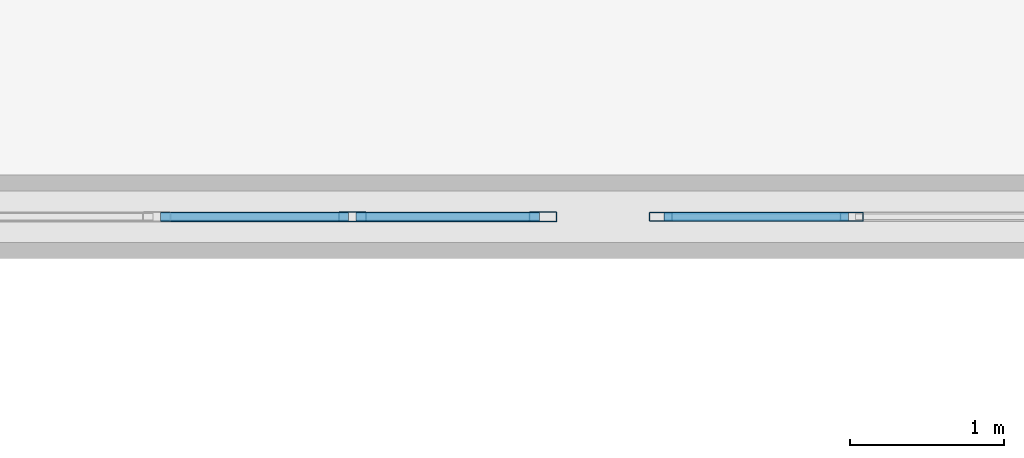
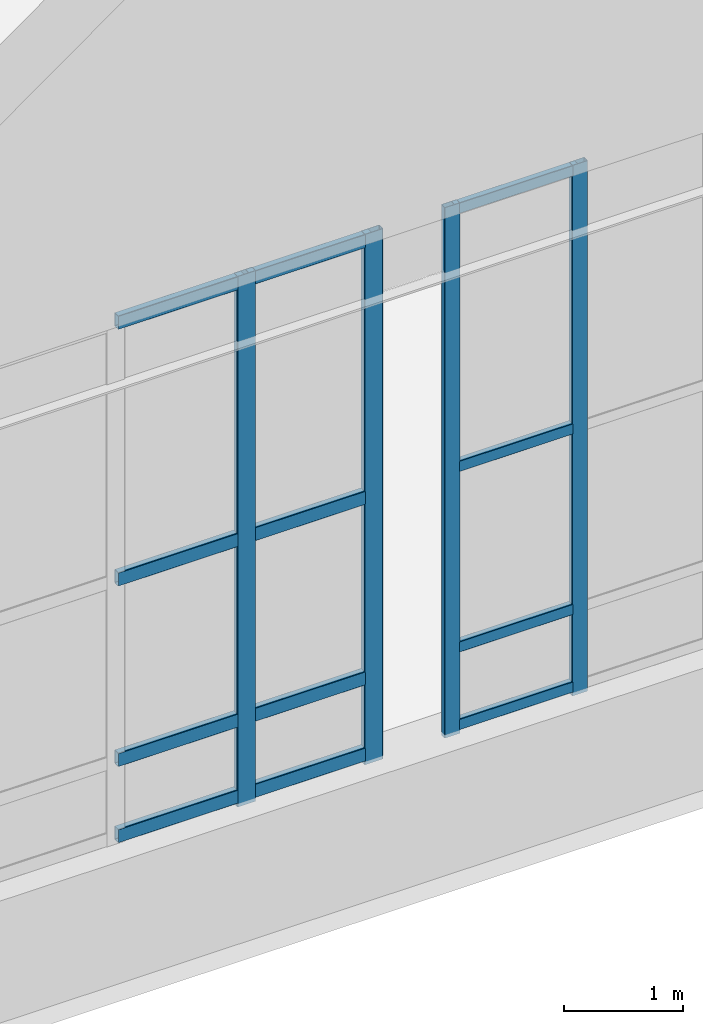
# One storey, part 19 of 97: 16 members, 2 elements without a shape of their own.
"""IFC4 building model written with IfcOpenShell, lengths in metres."""

from ifc_helpers import new_model, si_unit, derived_unit, direction, frame, origin, origin_2d, place, context, subcontext, project, spatial, hollow_rectangle, extrude, material, layer, layer_set, material_profile, profile_set, type_object, element, aggregate, save


model = new_model("IFC4")

# Units and contexts
model_context = context("Model", 3, precision=1e-05, world=origin(), true_north=direction((0.0, 1.0)))
body_context = subcontext(model_context, "Body", "Model", "MODEL_VIEW")
ifc_project = project(units=[si_unit("LENGTHUNIT", "METRE"), si_unit("AREAUNIT", "SQUARE_METRE"), si_unit("VOLUMEUNIT", "CUBIC_METRE"), si_unit("PLANEANGLEUNIT", "RADIAN"), si_unit("MASSUNIT", "GRAM", prefix="KILO"), derived_unit("THERMALTRANSMITTANCEUNIT", [(si_unit("POWERUNIT", "WATT"), 1), (si_unit("LENGTHUNIT", "METRE"), -2), (si_unit("THERMODYNAMICTEMPERATUREUNIT", "KELVIN"), -1)])], contexts=[model_context])

# Site, building, storey
site_placement = place(None, origin())
site = spatial("IfcSite", under=ifc_project, at=site_placement, CompositionType="ELEMENT")
building_placement = place(site_placement, origin())
building = spatial("IfcBuilding", under=site, at=building_placement, Name="Almenara Railside Exhibition Hall", CompositionType="ELEMENT")
storey_placement = place(building_placement, frame((0.0, 0.0, 10.800048828125)))
storey = spatial("IfcBuildingStorey", under=building, at=storey_placement, Name="L02", CompositionType="ELEMENT", Elevation=10.800048828125)

# Curtain wall, members
ifc_material_1 = material(Name="Bronze-anodised aluminium and low-E double glazing", Category="aluminium")
ifc_layer = layer(ifc_material_1, 0.179931640625, Name="Bronze-anodised aluminium and low-E double glazing")
ifc_layer_set = layer_set([ifc_layer], Name="Bronze-anodised aluminium and low-E double glazing")
curtain_wall_type = type_object("IfcCurtainWallType", Name="Scroll Gable Tall Curtain Wall 3800x5400", PredefinedType="NOTDEFINED", material=ifc_layer_set)
curtain_wall_1_placement = place(storey_placement, origin())
curtain_wall_1 = element("IfcCurtainWall", 1, at=curtain_wall_1_placement, inside=storey, type_object=curtain_wall_type, Name="Curtain wall CW-G1-034", PredefinedType="NOTDEFINED")
ifc_material_2 = material(Name="Bronze-anodised aluminium", Category="aluminium")
ifc_material_profile_1 = material_profile(ifc_material_2, hollow_rectangle(XDim=0.06005859375, YDim=0.14990234375, WallThickness=0.00341796875, InnerFilletRadius=0.00341796875, OuterFilletRadius=0.007080078125, at=origin_2d()), Name="ALU-MUL 60x150x3.5")
ifc_profile_set_1 = profile_set([ifc_material_profile_1], Name="Bronze-anodised aluminium")
member_type_1 = type_object("IfcMemberType", Name="Curtain Wall Mullion 60x150x3.5", PredefinedType="MULLION", material=ifc_profile_set_1)
member_1_placement = place(storey_placement, frame((36.72998046875, 48.0, 1.21484375), z_axis=(0.0, 0.0, 1.0), x_axis=(0.0, 1.0, 0.0)))
member_1 = element("IfcMember", 2, at=member_1_placement, type_object=member_type_1, Name="CW-G1-034 mullion 1", PredefinedType="MULLION", context=body_context, shape_type="SweptSolid", body=[
    extrude(hollow_rectangle(XDim=0.06005859375, YDim=0.14990234375, WallThickness=0.00341796875, InnerFilletRadius=0.00341796875, OuterFilletRadius=0.007080078125, at=origin_2d()), origin(), (0.0, 0.0, 1.0), 5.43505859375),
])
member_2_placement = place(storey_placement, frame((37.966552734375, 48.0, 1.21484375), z_axis=(0.0, 0.0, 1.0), x_axis=(0.0, 1.0, 0.0)))
member_2 = element("IfcMember", 3, at=member_2_placement, type_object=member_type_1, Name="CW-G1-034 mullion 2", PredefinedType="MULLION", context=body_context, shape_type="SweptSolid", body=[
    extrude(hollow_rectangle(XDim=0.06005859375, YDim=0.14990234375, WallThickness=0.00341796875, InnerFilletRadius=0.00341796875, OuterFilletRadius=0.007080078125, at=origin_2d()), origin(), (0.0, 0.0, 1.0), 5.43505859375),
])

curtain_wall_2_placement = place(storey_placement, origin())
curtain_wall_2 = element("IfcCurtainWall", 4, at=curtain_wall_2_placement, inside=storey, type_object=curtain_wall_type, Name="Curtain wall CW-G1-033", PredefinedType="NOTDEFINED")
ifc_material_profile_2 = material_profile(ifc_material_2, hollow_rectangle(XDim=0.06494140625, YDim=0.179931640625, WallThickness=0.00390625, InnerFilletRadius=0.00390625, OuterFilletRadius=0.008056640625, at=origin_2d()), Name="ALU-MUL 65x180x4")
ifc_profile_set_2 = profile_set([ifc_material_profile_2], Name="Bronze-anodised aluminium")
member_type_2 = type_object("IfcMemberType", Name="Curtain Wall Mullion 65x180x4", PredefinedType="MULLION", material=ifc_profile_set_2)
member_3_placement = place(storey_placement, frame((34.7333984375, 48.0, 1.21484375), z_axis=(0.0, 0.0, 1.0), x_axis=(0.0, 1.0, 0.0)))
member_3 = element("IfcMember", 5, at=member_3_placement, type_object=member_type_2, Name="CW-G1-033 mullion 3", PredefinedType="MULLION", context=body_context, shape_type="SweptSolid", body=[
    extrude(hollow_rectangle(XDim=0.06494140625, YDim=0.179931640625, WallThickness=0.00390625, InnerFilletRadius=0.00390625, OuterFilletRadius=0.008056640625, at=origin_2d()), origin(), (0.0, 0.0, 1.0), 5.43505859375),
])
member_4_placement = place(storey_placement, frame((35.967529296875, 48.0, 1.21484375), z_axis=(0.0, 0.0, 1.0), x_axis=(0.0, 1.0, 0.0)))
member_4 = element("IfcMember", 6, at=member_4_placement, type_object=member_type_2, Name="CW-G1-033 mullion 4", PredefinedType="MULLION", context=body_context, shape_type="SweptSolid", body=[
    extrude(hollow_rectangle(XDim=0.06494140625, YDim=0.179931640625, WallThickness=0.00390625, InnerFilletRadius=0.00390625, OuterFilletRadius=0.008056640625, at=origin_2d()), origin(), (0.0, 0.0, 1.0), 5.43505859375),
])

# Member
ifc_material_profile_3 = material_profile(ifc_material_2, hollow_rectangle(XDim=0.06005859375, YDim=0.110107421875, WallThickness=0.0029296875, InnerFilletRadius=0.0029296875, OuterFilletRadius=0.006103515625, at=origin_2d()), Name="ALU-TRN 60x110x3")
ifc_profile_set_3 = profile_set([ifc_material_profile_3], Name="Bronze-anodised aluminium")
member_type_3 = type_object("IfcMemberType", Name="Curtain Wall Transom 60x110x3", PredefinedType="USERDEFINED", material=ifc_profile_set_3)
member_5_placement = place(storey_placement, frame((36.751953125, 48.0, 1.304931640625), z_axis=(1.0, 0.0, 0.0), x_axis=(0.0, 1.0, 0.0)))
member_5 = element("IfcMember", 7, at=member_5_placement, type_object=member_type_3, Name="CW-G1-034 transom 1.1", ObjectType="TRANSOM", PredefinedType="USERDEFINED", context=body_context, shape_type="SweptSolid", body=[
    extrude(hollow_rectangle(XDim=0.06005859375, YDim=0.110107421875, WallThickness=0.0029296875, InnerFilletRadius=0.0029296875, OuterFilletRadius=0.006103515625, at=origin_2d()), origin(), (0.0, 0.0, 1.0), 1.192626953125),
])

member_6_placement = place(storey_placement, frame((36.751953125, 48.0, 2.099853515625), z_axis=(1.0, 0.0, 0.0), x_axis=(0.0, 1.0, 0.0)))
member_6 = element("IfcMember", 8, at=member_6_placement, type_object=member_type_3, Name="CW-G1-034 transom 1.2", ObjectType="TRANSOM", PredefinedType="USERDEFINED", context=body_context, shape_type="SweptSolid", body=[
    extrude(hollow_rectangle(XDim=0.06005859375, YDim=0.110107421875, WallThickness=0.0029296875, InnerFilletRadius=0.0029296875, OuterFilletRadius=0.006103515625, at=origin_2d()), origin(), (0.0, 0.0, 1.0), 1.192626953125),
])

member_7_placement = place(storey_placement, frame((36.751953125, 48.0, 3.949951171875), z_axis=(1.0, 0.0, 0.0), x_axis=(0.0, 1.0, 0.0)))
member_7 = element("IfcMember", 9, at=member_7_placement, type_object=member_type_3, Name="CW-G1-034 transom 1.3", ObjectType="TRANSOM", PredefinedType="USERDEFINED", context=body_context, shape_type="SweptSolid", body=[
    extrude(hollow_rectangle(XDim=0.06005859375, YDim=0.110107421875, WallThickness=0.0029296875, InnerFilletRadius=0.0029296875, OuterFilletRadius=0.006103515625, at=origin_2d()), origin(), (0.0, 0.0, 1.0), 1.192626953125),
])

member_8_placement = place(storey_placement, frame((36.751953125, 48.0, 6.594970703125), z_axis=(1.0, 0.0, 0.0), x_axis=(0.0, 1.0, 0.0)))
member_8 = element("IfcMember", 10, at=member_8_placement, type_object=member_type_3, Name="CW-G1-034 transom 1.4", ObjectType="TRANSOM", PredefinedType="USERDEFINED", context=body_context, shape_type="SweptSolid", body=[
    extrude(hollow_rectangle(XDim=0.06005859375, YDim=0.110107421875, WallThickness=0.0029296875, InnerFilletRadius=0.0029296875, OuterFilletRadius=0.006103515625, at=origin_2d()), origin(), (0.0, 0.0, 1.0), 1.192626953125),
])

aggregate(curtain_wall_1, [member_1, member_2, member_5, member_6, member_7, member_8])

ifc_material_profile_4 = material_profile(ifc_material_2, hollow_rectangle(XDim=0.06494140625, YDim=0.139892578125, WallThickness=0.00341796875, InnerFilletRadius=0.00341796875, OuterFilletRadius=0.007080078125, at=origin_2d()), Name="ALU-TRN 65x140x3.5")
ifc_profile_set_4 = profile_set([ifc_material_profile_4], Name="Bronze-anodised aluminium")
member_type_4 = type_object("IfcMemberType", Name="Curtain Wall Transom 65x140x3.5", PredefinedType="USERDEFINED", material=ifc_profile_set_4)
member_9_placement = place(storey_placement, frame((33.4912109375, 48.0, 1.320068359375), z_axis=(1.0, 0.0, 0.0), x_axis=(0.0, 1.0, 0.0)))
member_9 = element("IfcMember", 11, at=member_9_placement, type_object=member_type_4, Name="CW-G1-033 transom 2.1", ObjectType="TRANSOM", PredefinedType="USERDEFINED", context=body_context, shape_type="SweptSolid", body=[
    extrude(hollow_rectangle(XDim=0.06494140625, YDim=0.139892578125, WallThickness=0.00341796875, InnerFilletRadius=0.00341796875, OuterFilletRadius=0.007080078125, at=origin_2d()), origin(), (0.0, 0.0, 1.0), 1.217529296875),
])

member_10_placement = place(storey_placement, frame((33.4912109375, 48.0, 2.099853515625), z_axis=(1.0, 0.0, 0.0), x_axis=(0.0, 1.0, 0.0)))
member_10 = element("IfcMember", 12, at=member_10_placement, type_object=member_type_4, Name="CW-G1-033 transom 2.2", ObjectType="TRANSOM", PredefinedType="USERDEFINED", context=body_context, shape_type="SweptSolid", body=[
    extrude(hollow_rectangle(XDim=0.06494140625, YDim=0.139892578125, WallThickness=0.00341796875, InnerFilletRadius=0.00341796875, OuterFilletRadius=0.007080078125, at=origin_2d()), origin(), (0.0, 0.0, 1.0), 1.217529296875),
])

member_11_placement = place(storey_placement, frame((33.4912109375, 48.0, 3.949951171875), z_axis=(1.0, 0.0, 0.0), x_axis=(0.0, 1.0, 0.0)))
member_11 = element("IfcMember", 13, at=member_11_placement, type_object=member_type_4, Name="CW-G1-033 transom 2.3", ObjectType="TRANSOM", PredefinedType="USERDEFINED", context=body_context, shape_type="SweptSolid", body=[
    extrude(hollow_rectangle(XDim=0.06494140625, YDim=0.139892578125, WallThickness=0.00341796875, InnerFilletRadius=0.00341796875, OuterFilletRadius=0.007080078125, at=origin_2d()), origin(), (0.0, 0.0, 1.0), 1.217529296875),
])

member_12_placement = place(storey_placement, frame((33.4912109375, 48.0, 6.579833984375), z_axis=(1.0, 0.0, 0.0), x_axis=(0.0, 1.0, 0.0)))
member_12 = element("IfcMember", 14, at=member_12_placement, type_object=member_type_4, Name="CW-G1-033 transom 2.4", ObjectType="TRANSOM", PredefinedType="USERDEFINED", context=body_context, shape_type="SweptSolid", body=[
    extrude(hollow_rectangle(XDim=0.06494140625, YDim=0.139892578125, WallThickness=0.00341796875, InnerFilletRadius=0.00341796875, OuterFilletRadius=0.007080078125, at=origin_2d()), origin(), (0.0, 0.0, 1.0), 1.217529296875),
])

member_13_placement = place(storey_placement, frame((34.7578125, 48.0, 1.320068359375), z_axis=(1.0, 0.0, 0.0), x_axis=(0.0, 1.0, 0.0)))
member_13 = element("IfcMember", 15, at=member_13_placement, type_object=member_type_4, Name="CW-G1-033 transom 3.1", ObjectType="TRANSOM", PredefinedType="USERDEFINED", context=body_context, shape_type="SweptSolid", body=[
    extrude(hollow_rectangle(XDim=0.06494140625, YDim=0.139892578125, WallThickness=0.00341796875, InnerFilletRadius=0.00341796875, OuterFilletRadius=0.007080078125, at=origin_2d()), origin(), (0.0, 0.0, 1.0), 1.185302734375),
])

member_14_placement = place(storey_placement, frame((34.7578125, 48.0, 2.099853515625), z_axis=(1.0, 0.0, 0.0), x_axis=(0.0, 1.0, 0.0)))
member_14 = element("IfcMember", 16, at=member_14_placement, type_object=member_type_4, Name="CW-G1-033 transom 3.2", ObjectType="TRANSOM", PredefinedType="USERDEFINED", context=body_context, shape_type="SweptSolid", body=[
    extrude(hollow_rectangle(XDim=0.06494140625, YDim=0.139892578125, WallThickness=0.00341796875, InnerFilletRadius=0.00341796875, OuterFilletRadius=0.007080078125, at=origin_2d()), origin(), (0.0, 0.0, 1.0), 1.185302734375),
])

member_15_placement = place(storey_placement, frame((34.7578125, 48.0, 3.949951171875), z_axis=(1.0, 0.0, 0.0), x_axis=(0.0, 1.0, 0.0)))
member_15 = element("IfcMember", 17, at=member_15_placement, type_object=member_type_4, Name="CW-G1-033 transom 3.3", ObjectType="TRANSOM", PredefinedType="USERDEFINED", context=body_context, shape_type="SweptSolid", body=[
    extrude(hollow_rectangle(XDim=0.06494140625, YDim=0.139892578125, WallThickness=0.00341796875, InnerFilletRadius=0.00341796875, OuterFilletRadius=0.007080078125, at=origin_2d()), origin(), (0.0, 0.0, 1.0), 1.185302734375),
])

member_16_placement = place(storey_placement, frame((34.7578125, 48.0, 6.579833984375), z_axis=(1.0, 0.0, 0.0), x_axis=(0.0, 1.0, 0.0)))
member_16 = element("IfcMember", 18, at=member_16_placement, type_object=member_type_4, Name="CW-G1-033 transom 3.4", ObjectType="TRANSOM", PredefinedType="USERDEFINED", context=body_context, shape_type="SweptSolid", body=[
    extrude(hollow_rectangle(XDim=0.06494140625, YDim=0.139892578125, WallThickness=0.00341796875, InnerFilletRadius=0.00341796875, OuterFilletRadius=0.007080078125, at=origin_2d()), origin(), (0.0, 0.0, 1.0), 1.185302734375),
])

aggregate(curtain_wall_2, [member_3, member_4, member_9, member_10, member_11, member_12, member_13, member_14, member_15, member_16])

save(model, "model.ifc")
